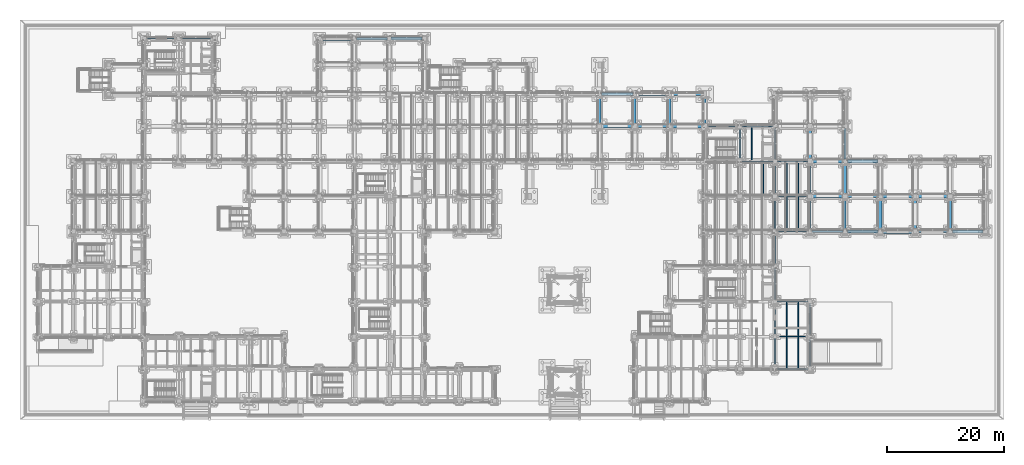
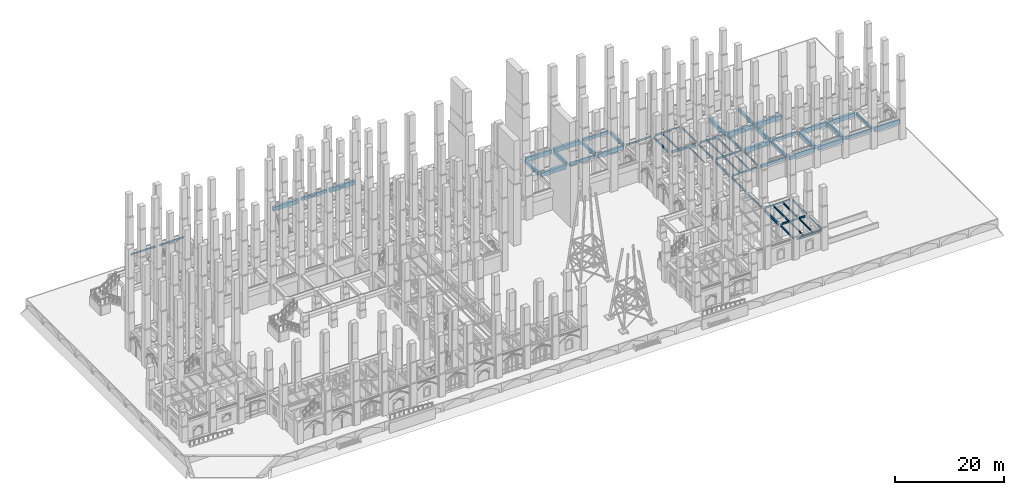
# One storey, part 47 of 135: 64 beams.
"""IFC4 building model written with IfcOpenShell, lengths in metres."""

import ifcopenshell
import ifcopenshell.guid

model = None  # the IFC model being written
_history = None  # IfcOwnerHistory: only IFC2X3 demands one
_inside = {}  # id of a spatial element -> (the spatial element, [elements in it])
_under = {}  # id of a project, library or spatial element -> (it, [spatial elements below it])
_declared = {}  # id of a project -> (the project, [libraries it declares])
_typed = {}  # id of a type object -> (the type object, [elements of that type])
_made_of = {}  # id of a material, layer set ... -> (it, [elements and type objects made of it])


def new_model(schema):
    """Start an empty IFC model of exactly this schema.

    Asked for "IFC4X3", IfcOpenShell would pick the latest addendum, in which some entities
    have other attributes; the version numbers below select the first issue.
    IFC2X3 requires an IfcOwnerHistory on every rooted entity: one is made here for all.
    """
    global model, _history
    if schema == "IFC4X3":
        model = ifcopenshell.file(schema_version=(4, 3, 0, 0))
    else:
        model = ifcopenshell.file(schema=schema)
    _inside.clear()
    _under.clear()
    _declared.clear()
    _typed.clear()
    _made_of.clear()
    _history = None
    if model.schema == "IFC2X3":
        org = make("IfcOrganization", Name="unknown")
        user = make(
            "IfcPersonAndOrganization",
            ThePerson=make("IfcPerson", FamilyName="unknown"),
            TheOrganization=org,
        )
        app = make(
            "IfcApplication",
            ApplicationDeveloper=org,
            Version="unknown",
            ApplicationFullName="unknown",
            ApplicationIdentifier="unknown",
        )
        _history = make(
            "IfcOwnerHistory",
            OwningUser=user,
            OwningApplication=app,
            ChangeAction="ADDED",
            CreationDate=0,
        )
    return model


def make(cls, **values):
    """One entity of the class cls with the attributes given. An attribute that is None is left unset."""
    return model.create_entity(
        cls, **{name: value for name, value in values.items() if value is not None}
    )


def rooted(cls, **values):
    """An entity with a GlobalId (a new one), such as an element, a storey or a relation."""
    return make(cls, GlobalId=ifcopenshell.guid.new(), OwnerHistory=_history, **values)


def si_unit(unit_type, name, prefix=None):
    """IfcSIUnit, for example si_unit("LENGTHUNIT", "METRE", prefix="MILLI")."""
    return make("IfcSIUnit", UnitType=unit_type, Prefix=prefix, Name=name)


def assignment(units):
    """IfcUnitAssignment: the units of a project."""
    return None if units is None else make("IfcUnitAssignment", Units=units)


def point(xyz):
    """IfcCartesianPoint."""
    return None if xyz is None else make("IfcCartesianPoint", Coordinates=xyz)


def direction(xyz):
    """IfcDirection."""
    return None if xyz is None else make("IfcDirection", DirectionRatios=xyz)


def frame(location, z_axis=None, x_axis=None):
    """IfcAxis2Placement3D, a coordinate frame: its origin and axes. An axis left out is left unset."""
    return make(
        "IfcAxis2Placement3D",
        Location=point(location),
        Axis=direction(z_axis),
        RefDirection=direction(x_axis),
    )


def frame_2d(location, x_axis=None):
    """IfcAxis2Placement2D, a coordinate frame in the plane: its origin and x axis."""
    return make(
        "IfcAxis2Placement2D", Location=point(location), RefDirection=direction(x_axis)
    )


def origin():
    """The frame at (0, 0, 0) with its axes left unset."""
    return frame((0.0, 0.0, 0.0))


def origin_2d():
    """The frame at (0, 0) in the plane with its x axis left unset."""
    return frame_2d((0.0, 0.0))


def place(relative_to, where):
    """IfcLocalPlacement: puts the frame where relative to a parent placement (None: the world)."""
    return make(
        "IfcLocalPlacement", PlacementRelTo=relative_to, RelativePlacement=where
    )


def context(
    kind, dimensions, precision=None, world=None, true_north=None, identifier=None
):
    """IfcGeometricRepresentationContext, for example the 3D "Model" context."""
    return make(
        "IfcGeometricRepresentationContext",
        ContextIdentifier=identifier,
        ContextType=kind,
        CoordinateSpaceDimension=dimensions,
        Precision=precision,
        WorldCoordinateSystem=world,
        TrueNorth=true_north,
    )


def subcontext(parent, identifier, kind, view, scale=None):
    """IfcGeometricRepresentationSubContext, for example "Body" below "Model"."""
    return make(
        "IfcGeometricRepresentationSubContext",
        ContextIdentifier=identifier,
        ContextType=kind,
        ParentContext=parent,
        TargetScale=scale,
        TargetView=view,
    )


def project(units=None, contexts=None):
    """IfcProject with its units and contexts."""
    return rooted(
        "IfcProject",
        Name="project",
        RepresentationContexts=contexts,
        UnitsInContext=assignment(units),
    )


def spatial(cls, under=None, at=None, **own):
    """A site, building, storey or space (cls), placed at a placement, below another one or the project."""
    s = rooted(cls, ObjectPlacement=at, **own)
    if under is not None:
        _under.setdefault(under.id(), (under, []))[1].append(s)
    return s


def profile(cls, at=None, kind="AREA", **sizes):
    """A parametric profile (cls). Its sizes go by their IFC names, for example OverallWidth=200.0."""
    return make(cls, ProfileType=kind, Position=at, **sizes)


def rectangle(**sizes):
    """IfcRectangleProfileDef."""
    return profile("IfcRectangleProfileDef", **sizes)


def i_section(**sizes):
    """IfcIShapeProfileDef."""
    return profile("IfcIShapeProfileDef", **sizes)


def extrude(swept, where, along, depth):
    """IfcExtrudedAreaSolid: the profile swept, set in the frame where, extruded along a direction by depth."""
    return make(
        "IfcExtrudedAreaSolid",
        SweptArea=swept,
        Position=where,
        ExtrudedDirection=direction(along),
        Depth=depth,
    )


def shape(context_of_items, identifier, shape_type, items):
    """IfcShapeRepresentation: the items that make up one representation, for example the "Body"."""
    return make(
        "IfcShapeRepresentation",
        ContextOfItems=context_of_items,
        RepresentationIdentifier=identifier,
        RepresentationType=shape_type,
        Items=items,
    )


def material(Name=None, Category=None):
    """IfcMaterial."""
    return make("IfcMaterial", Name=Name, Category=Category)


def material_profile(
    of_material, cross_section, Name=None, Category=None, Priority=None
):
    """IfcMaterialProfile: a cross section and its material."""
    return make(
        "IfcMaterialProfile",
        Name=Name,
        Material=of_material,
        Profile=cross_section,
        Priority=Priority,
        Category=Category,
    )


def profile_set(profiles, Name=None, composite=None):
    """IfcMaterialProfileSet."""
    return make(
        "IfcMaterialProfileSet",
        Name=Name,
        MaterialProfiles=profiles,
        CompositeProfile=composite,
    )


def made_of(thing, what):
    """Note that an element or type object is made of a material, layer set ...; save() writes the relation."""
    if what is not None:
        _made_of.setdefault(what.id(), (what, []))[1].append(thing)
    return thing


def type_object(cls, material=None, **own):
    """A type object (cls), such as IfcWallType, which elements share."""
    return made_of(rooted(cls, **own), material)


def element(
    cls,
    number,
    at=None,
    inside=None,
    cuts=None,
    type_object=None,
    material=None,
    context=None,
    identifier="Body",
    shape_type=None,
    held_by="IfcProductDefinitionShape",
    body=None,
    shapes=None,
    **own,
):
    """One element of the class cls, such as IfcWall. Its Tag is "e" and its number.

    at: its placement. inside: the storey or other place that contains it. cuts: it is an
    opening in that element (IfcRelVoidsElement). A single representation is given by context,
    identifier, shape_type and body (its items); several are given by shapes. held_by: the class
    of the entity that holds the representations. save() writes the other relations.
    """
    e = rooted(cls, Tag="e%d" % number, ObjectPlacement=at, **own)
    if body is not None:
        shapes = [shape(context, identifier, shape_type, body)]
    if shapes is not None:
        e.Representation = make(held_by, Representations=shapes)
    if inside is not None:
        _inside.setdefault(inside.id(), (inside, []))[1].append(e)
    if cuts is not None:
        rooted(
            "IfcRelVoidsElement", RelatingBuildingElement=cuts, RelatedOpeningElement=e
        )
    if type_object is not None:
        _typed.setdefault(type_object.id(), (type_object, []))[1].append(e)
    return made_of(e, material)


def aggregate(whole, parts):
    """IfcRelAggregates: a whole, such as a stair, and the parts it consists of."""
    return rooted("IfcRelAggregates", RelatingObject=whole, RelatedObjects=parts)


def save(model, path):
    """Write the relations noted so far, then the file.

    IfcRelAggregates (storeys below a building ...), IfcRelContainedInSpatialStructure (elements
    in a storey), IfcRelDefinesByType, IfcRelAssociatesMaterial and IfcRelDeclares: one each for
    every whole, place, type object, material and project.
    """
    for whole, parts in _under.values():
        aggregate(whole, parts)
    for where, things in _inside.values():
        rooted(
            "IfcRelContainedInSpatialStructure",
            RelatedElements=things,
            RelatingStructure=where,
        )
    for kind, things in _typed.values():
        rooted("IfcRelDefinesByType", RelatedObjects=things, RelatingType=kind)
    for what, things in _made_of.values():
        rooted("IfcRelAssociatesMaterial", RelatedObjects=things, RelatingMaterial=what)
    for by, libraries in _declared.values():
        rooted("IfcRelDeclares", RelatingContext=by, RelatedDefinitions=libraries)
    model.write(path)


model = new_model("IFC4")

# Units and contexts
model_context = context("Model", 3, precision=1e-05, world=origin(), true_north=direction((0.0, 1.0)))
body_context = subcontext(model_context, "Body", "Model", "MODEL_VIEW")
ifc_project = project(units=[si_unit("LENGTHUNIT", "METRE"), si_unit("AREAUNIT", "SQUARE_METRE"), si_unit("VOLUMEUNIT", "CUBIC_METRE"), si_unit("PLANEANGLEUNIT", "RADIAN"), si_unit("MASSUNIT", "GRAM", prefix="KILO")], contexts=[model_context])

# Site, building, storey
site_placement = place(None, origin())
site = spatial("IfcSite", under=ifc_project, at=site_placement, CompositionType="ELEMENT")
building_placement = place(site_placement, origin())
building = spatial("IfcBuilding", under=site, at=building_placement, Name="Cumevento Cable Car Station", CompositionType="ELEMENT")
storey_placement = place(building_placement, origin())
storey = spatial("IfcBuildingStorey", under=building, at=storey_placement, Name="L01", CompositionType="ELEMENT", Elevation=0.0)

# Beams
ifc_material_1 = material(Name="Steel ASTM A572 Grade 50", Category="steel")
ifc_material_profile_1 = material_profile(ifc_material_1, i_section(OverallWidth=0.22802734375, OverallDepth=0.60791015625, WebThickness=0.01123046875, FlangeThickness=0.017333984375, at=origin_2d()), Name="W610x113.0")
ifc_profile_set_1 = profile_set([ifc_material_profile_1], Name="Steel ASTM A572 Grade 50")
beam_type_1 = type_object("IfcBeamType", Name="Structural Beam BM-02 W610x113.0", PredefinedType="BEAM", material=ifc_profile_set_1)
beam_1_placement = place(storey_placement, frame((130.0, 15.324951171875, 3.912109375), z_axis=(0.0, 1.0, 0.0), x_axis=(-1.0, 0.0, 0.0)))
element("IfcBeam", 1, at=beam_1_placement, inside=storey, type_object=beam_type_1, Name="Beam BM-02 L01 #238", PredefinedType="BEAM", context=body_context, shape_type="SweptSolid", body=[
    extrude(i_section(OverallWidth=0.22802734375, OverallDepth=0.60791015625, WebThickness=0.01123046875, FlangeThickness=0.017333984375, at=origin_2d()), origin(), (0.0, 0.0, 1.0), 5.324951171875),
])
beam_2_placement = place(storey_placement, frame((130.0, 33.35009765625, 3.805908203125), z_axis=(0.0, 1.0, 0.0), x_axis=(-1.0, 0.0, 0.0)))
element("IfcBeam", 2, at=beam_2_placement, inside=storey, type_object=beam_type_1, Name="Beam BM-02 L01 #262", PredefinedType="BEAM", context=body_context, shape_type="SweptSolid", body=[
    extrude(i_section(OverallWidth=0.22802734375, OverallDepth=0.60791015625, WebThickness=0.01123046875, FlangeThickness=0.017333984375, at=origin_2d()), origin(), (0.0, 0.0, 1.0), 5.2998046875),
])
beam_3_placement = place(storey_placement, frame((136.0, 39.35009765625, 3.906005859375), z_axis=(0.0, 1.0, 0.0), x_axis=(-1.0, 0.0, 0.0)))
element("IfcBeam", 3, at=beam_3_placement, inside=storey, type_object=beam_type_1, Name="Beam BM-02 L01 #265", PredefinedType="BEAM", context=body_context, shape_type="SweptSolid", body=[
    extrude(i_section(OverallWidth=0.22802734375, OverallDepth=0.60791015625, WebThickness=0.01123046875, FlangeThickness=0.017333984375, at=origin_2d()), origin(), (0.0, 0.0, 1.0), 5.27490234375),
])
ifc_material_2 = material(Name="Steel ASTM A572 Grade 50", Category="steel")
ifc_material_profile_2 = material_profile(ifc_material_2, i_section(OverallWidth=0.18994140625, OverallDepth=0.45703125, WebThickness=0.009033203125, FlangeThickness=0.014404296875, at=origin_2d()), Name="W460x74.0")
ifc_profile_set_2 = profile_set([ifc_material_profile_2], Name="Steel ASTM A572 Grade 50")
beam_type_2 = type_object("IfcBeamType", Name="Structural Beam BM-04 W460x74.0", PredefinedType="BEAM", material=ifc_profile_set_2)
beam_4_placement = place(storey_placement, frame((130.375, 45.0, 3.9814453125), z_axis=(1.0, 0.0, 0.0), x_axis=(0.0, 1.0, 0.0)))
element("IfcBeam", 4, at=beam_4_placement, inside=storey, type_object=beam_type_2, Name="Beam BM-04 L01 #257", PredefinedType="BEAM", context=body_context, shape_type="SweptSolid", body=[
    extrude(i_section(OverallWidth=0.18994140625, OverallDepth=0.45703125, WebThickness=0.009033203125, FlangeThickness=0.014404296875, at=origin_2d()), origin(), (0.0, 0.0, 1.0), 5.25),
])
beam_5_placement = place(storey_placement, frame((130.0, 39.35009765625, 3.9814453125), z_axis=(0.0, 1.0, 0.0), x_axis=(-1.0, 0.0, 0.0)))
element("IfcBeam", 5, at=beam_5_placement, inside=storey, type_object=beam_type_2, Name="Beam BM-04 L01 #263", PredefinedType="BEAM", context=body_context, shape_type="SweptSolid", body=[
    extrude(i_section(OverallWidth=0.18994140625, OverallDepth=0.45703125, WebThickness=0.009033203125, FlangeThickness=0.014404296875, at=origin_2d()), origin(), (0.0, 0.0, 1.0), 5.27490234375),
])
beam_6_placement = place(storey_placement, frame((124.0, 45.39990234375, 3.9814453125), z_axis=(0.0, 1.0, 0.0), x_axis=(-1.0, 0.0, 0.0)))
element("IfcBeam", 6, at=beam_6_placement, inside=storey, type_object=beam_type_2, Name="Beam BM-04 L01 #293", PredefinedType="BEAM", context=body_context, shape_type="SweptSolid", body=[
    extrude(i_section(OverallWidth=0.18994140625, OverallDepth=0.45703125, WebThickness=0.009033203125, FlangeThickness=0.014404296875, at=origin_2d()), origin(), (0.0, 0.0, 1.0), 5.2001953125),
])
ifc_material_3 = material(Name="Steel ASTM A572 Grade 50", Category="steel")
ifc_material_profile_3 = material_profile(ifc_material_3, i_section(OverallWidth=0.205078125, OverallDepth=0.35400390625, WebThickness=0.009521484375, FlangeThickness=0.016845703125, at=origin_2d()), Name="W360x79.0")
ifc_profile_set_3 = profile_set([ifc_material_profile_3], Name="Steel ASTM A572 Grade 50")
beam_type_3 = type_object("IfcBeamType", Name="Structural Beam BM-05 W360x79.0", PredefinedType="BEAM", material=ifc_profile_set_3)
beam_7_placement = place(storey_placement, frame((130.0, 9.89990234375, 4.051025390625), z_axis=(0.0, 1.0, 0.0), x_axis=(-1.0, 0.0, 0.0)))
element("IfcBeam", 7, at=beam_7_placement, inside=storey, type_object=beam_type_3, Name="Beam BM-05 L01 #237", PredefinedType="BEAM", context=body_context, shape_type="SweptSolid", body=[
    extrude(i_section(OverallWidth=0.205078125, OverallDepth=0.35400390625, WebThickness=0.009521484375, FlangeThickness=0.016845703125, at=origin_2d()), origin(), (0.0, 0.0, 1.0), 4.775146484375),
])
beam_8_placement = place(storey_placement, frame((136.0, 33.35009765625, 4.032958984375), z_axis=(0.0, 1.0, 0.0), x_axis=(-1.0, 0.0, 0.0)))
element("IfcBeam", 8, at=beam_8_placement, inside=storey, type_object=beam_type_3, Name="Beam BM-05 L01 #264", PredefinedType="BEAM", context=body_context, shape_type="SweptSolid", body=[
    extrude(i_section(OverallWidth=0.205078125, OverallDepth=0.35400390625, WebThickness=0.009521484375, FlangeThickness=0.016845703125, at=origin_2d()), origin(), (0.0, 0.0, 1.0), 5.2998046875),
])
beam_9_placement = place(storey_placement, frame((130.0, 45.375, 4.032958984375), z_axis=(0.0, 1.0, 0.0), x_axis=(-1.0, 0.0, 0.0)))
element("IfcBeam", 9, at=beam_9_placement, inside=storey, type_object=beam_type_3, Name="Beam BM-05 L01 #294", PredefinedType="BEAM", context=body_context, shape_type="SweptSolid", body=[
    extrude(i_section(OverallWidth=0.205078125, OverallDepth=0.35400390625, WebThickness=0.009521484375, FlangeThickness=0.016845703125, at=origin_2d()), origin(), (0.0, 0.0, 1.0), 5.25),
])
ifc_material_4 = material(Name="Steel ASTM A572 Grade 50", Category="steel")
ifc_material_profile_4 = material_profile(ifc_material_4, i_section(OverallWidth=0.179931640625, OverallDepth=0.4130859375, WebThickness=0.009765625, FlangeThickness=0.01611328125, at=origin_2d()), Name="W410x74.0")
ifc_profile_set_4 = profile_set([ifc_material_profile_4], Name="Steel ASTM A572 Grade 50")
beam_type_4 = type_object("IfcBeamType", Name="Structural Beam BM-09 W410x74.0", PredefinedType="BEAM", material=ifc_profile_set_4)
beam_10_placement = place(storey_placement, frame((130.324951171875, 15.0, 4.021484375), z_axis=(1.0, 0.0, 0.0), x_axis=(0.0, 1.0, 0.0)))
element("IfcBeam", 10, at=beam_10_placement, inside=storey, type_object=beam_type_4, Name="Beam BM-09 L01 #230", PredefinedType="BEAM", context=body_context, shape_type="SweptSolid", body=[
    extrude(i_section(OverallWidth=0.179931640625, OverallDepth=0.4130859375, WebThickness=0.009765625, FlangeThickness=0.01611328125, at=origin_2d()), origin(), (0.0, 0.0, 1.0), 5.275146484375),
])
beam_11_placement = place(storey_placement, frame((130.35009765625, 39.0, 4.00341796875), z_axis=(1.0, 0.0, 0.0), x_axis=(0.0, 1.0, 0.0)))
element("IfcBeam", 11, at=beam_11_placement, inside=storey, type_object=beam_type_4, Name="Beam BM-09 L01 #254", PredefinedType="BEAM", context=body_context, shape_type="SweptSolid", body=[
    extrude(i_section(OverallWidth=0.179931640625, OverallDepth=0.4130859375, WebThickness=0.009765625, FlangeThickness=0.01611328125, at=origin_2d()), origin(), (0.0, 0.0, 1.0), 5.2998046875),
])
ifc_material_5 = material(Name="Steel ASTM A572 Grade 50", Category="steel")
ifc_material_profile_5 = material_profile(ifc_material_5, i_section(OverallWidth=0.2109375, OverallDepth=0.5390625, WebThickness=0.01171875, FlangeThickness=0.018798828125, at=origin_2d()), Name="W530x109.0")
ifc_profile_set_5 = profile_set([ifc_material_profile_5], Name="Steel ASTM A572 Grade 50")
beam_type_5 = type_object("IfcBeamType", Name="Structural Beam BM-11 W530x109.0", PredefinedType="BEAM", material=ifc_profile_set_5)
beam_12_placement = place(storey_placement, frame((124.39990234375, 45.0, 3.9404296875), z_axis=(1.0, 0.0, 0.0), x_axis=(0.0, 1.0, 0.0)))
element("IfcBeam", 12, at=beam_12_placement, inside=storey, type_object=beam_type_5, Name="Beam BM-11 L01 #256", PredefinedType="BEAM", context=body_context, shape_type="SweptSolid", body=[
    extrude(i_section(OverallWidth=0.2109375, OverallDepth=0.5390625, WebThickness=0.01171875, FlangeThickness=0.018798828125, at=origin_2d()), origin(), (0.0, 0.0, 1.0), 5.22509765625),
])
ifc_material_6 = material(Name="Concrete C40/50", Category="concrete")
ifc_material_profile_6 = material_profile(ifc_material_6, rectangle(XDim=0.60009765625, YDim=0.89990234375, at=origin_2d()), Name="RC600x900")
ifc_profile_set_6 = profile_set([ifc_material_profile_6], Name="Concrete C40/50")
beam_type_6 = type_object("IfcBeamType", Name="Structural Beam TB-01 RC600x900", PredefinedType="BEAM", material=ifc_profile_set_6)
beam_13_placement = place(storey_placement, frame((100.35009765625, 51.0, 3.800048828125), z_axis=(1.0, 0.0, 0.0), x_axis=(0.0, 1.0, 0.0)))
element("IfcBeam", 13, at=beam_13_placement, inside=storey, type_object=beam_type_6, Name="Beam TB-01 L01 #193", PredefinedType="BEAM", context=body_context, shape_type="SweptSolid", body=[
    extrude(rectangle(XDim=0.60009765625, YDim=0.89990234375, at=origin_2d()), origin(), (0.0, 0.0, 1.0), 5.27490234375),
])
beam_14_placement = place(storey_placement, frame((106.300048828125, 56.5, 3.800048828125), z_axis=(1.0, 0.0, 0.0), x_axis=(0.0, 1.0, 0.0)))
element("IfcBeam", 14, at=beam_14_placement, inside=storey, type_object=beam_type_6, Name="Beam TB-01 L01 #199", PredefinedType="BEAM", context=body_context, shape_type="SweptSolid", body=[
    extrude(rectangle(XDim=0.60009765625, YDim=0.89990234375, at=origin_2d()), origin(), (0.0, 0.0, 1.0), 5.39990234375),
])
beam_15_placement = place(storey_placement, frame((52.324951171875, 66.0, 3.800048828125), z_axis=(1.0, 0.0, 0.0), x_axis=(0.0, 1.0, 0.0)))
element("IfcBeam", 15, at=beam_15_placement, inside=storey, type_object=beam_type_6, Name="Beam TB-01 L01 #214", PredefinedType="BEAM", context=body_context, shape_type="SweptSolid", body=[
    extrude(rectangle(XDim=0.60009765625, YDim=0.89990234375, at=origin_2d()), origin(), (0.0, 0.0, 1.0), 5.300048828125),
])
beam_16_placement = place(storey_placement, frame((148.39990234375, 33.0, 3.800048828125), z_axis=(1.0, 0.0, 0.0), x_axis=(0.0, 1.0, 0.0)))
element("IfcBeam", 16, at=beam_16_placement, inside=storey, type_object=beam_type_6, Name="Beam TB-01 L01 #268", PredefinedType="BEAM", context=body_context, shape_type="SweptSolid", body=[
    extrude(rectangle(XDim=0.60009765625, YDim=0.89990234375, at=origin_2d()), origin(), (0.0, 0.0, 1.0), 5.275146484375),
])
beam_17_placement = place(storey_placement, frame((136.35009765625, 39.0, 3.760009765625), z_axis=(1.0, 0.0, 0.0), x_axis=(0.0, 1.0, 0.0)))
element("IfcBeam", 17, at=beam_17_placement, inside=storey, type_object=beam_type_6, Name="Beam TB-01 L01 #271", PredefinedType="BEAM", context=body_context, shape_type="SweptSolid", body=[
    extrude(rectangle(XDim=0.60009765625, YDim=0.89990234375, at=origin_2d()), origin(), (0.0, 0.0, 1.0), 5.27490234375),
])
beam_18_placement = place(storey_placement, frame((154.324951171875, 39.0, 3.800048828125), z_axis=(1.0, 0.0, 0.0), x_axis=(0.0, 1.0, 0.0)))
element("IfcBeam", 18, at=beam_18_placement, inside=storey, type_object=beam_type_6, Name="Beam TB-01 L01 #274", PredefinedType="BEAM", context=body_context, shape_type="SweptSolid", body=[
    extrude(rectangle(XDim=0.60009765625, YDim=0.89990234375, at=origin_2d()), origin(), (0.0, 0.0, 1.0), 5.324951171875),
])
beam_19_placement = place(storey_placement, frame((142.39990234375, 45.0, 3.800048828125), z_axis=(1.0, 0.0, 0.0), x_axis=(0.0, 1.0, 0.0)))
element("IfcBeam", 19, at=beam_19_placement, inside=storey, type_object=beam_type_6, Name="Beam TB-01 L01 #277", PredefinedType="BEAM", context=body_context, shape_type="SweptSolid", body=[
    extrude(rectangle(XDim=0.60009765625, YDim=0.89990234375, at=origin_2d()), origin(), (0.0, 0.0, 1.0), 5.275146484375),
])
beam_20_placement = place(storey_placement, frame((148.0, 33.39990234375, 3.800048828125), z_axis=(0.0, 1.0, 0.0), x_axis=(-1.0, 0.0, 0.0)))
element("IfcBeam", 20, at=beam_20_placement, inside=storey, type_object=beam_type_6, Name="Beam TB-01 L01 #283", PredefinedType="BEAM", context=body_context, shape_type="SweptSolid", body=[
    extrude(rectangle(XDim=0.60009765625, YDim=0.89990234375, at=origin_2d()), origin(), (0.0, 0.0, 1.0), 5.2001953125),
])
ifc_material_7 = material(Name="Concrete C40/50", Category="concrete")
ifc_material_profile_7 = material_profile(ifc_material_7, rectangle(XDim=0.449951171875, YDim=0.75, at=origin_2d()), Name="RC450x750")
ifc_profile_set_7 = profile_set([ifc_material_profile_7], Name="Concrete C40/50")
beam_type_7 = type_object("IfcBeamType", Name="Structural Beam TB-02 RC450x750", PredefinedType="BEAM", material=ifc_profile_set_7)
beam_21_placement = place(storey_placement, frame((100.0, 51.35009765625, 3.875), z_axis=(0.0, 1.0, 0.0), x_axis=(-1.0, 0.0, 0.0)))
element("IfcBeam", 21, at=beam_21_placement, inside=storey, type_object=beam_type_7, Name="Beam TB-02 L01 #204", PredefinedType="BEAM", context=body_context, shape_type="SweptSolid", body=[
    extrude(rectangle(XDim=0.449951171875, YDim=0.75, at=origin_2d()), origin(), (0.0, 0.0, 1.0), 4.625),
])
beam_22_placement = place(storey_placement, frame((106.0, 51.375, 3.875), z_axis=(0.0, 1.0, 0.0), x_axis=(-1.0, 0.0, 0.0)))
element("IfcBeam", 22, at=beam_22_placement, inside=storey, type_object=beam_type_7, Name="Beam TB-02 L01 #206", PredefinedType="BEAM", context=body_context, shape_type="SweptSolid", body=[
    extrude(rectangle(XDim=0.449951171875, YDim=0.75, at=origin_2d()), origin(), (0.0, 0.0, 1.0), 4.60009765625),
])
beam_23_placement = place(storey_placement, frame((112.0, 51.39990234375, 3.875), z_axis=(0.0, 1.0, 0.0), x_axis=(-1.0, 0.0, 0.0)))
element("IfcBeam", 23, at=beam_23_placement, inside=storey, type_object=beam_type_7, Name="Beam TB-02 L01 #208", PredefinedType="BEAM", context=body_context, shape_type="SweptSolid", body=[
    extrude(rectangle(XDim=0.449951171875, YDim=0.75, at=origin_2d()), origin(), (0.0, 0.0, 1.0), 4.5751953125),
])
beam_24_placement = place(storey_placement, frame((118.0, 51.375, 3.9130859375), z_axis=(0.0, 1.0, 0.0), x_axis=(-1.0, 0.0, 0.0)))
element("IfcBeam", 24, at=beam_24_placement, inside=storey, type_object=beam_type_7, Name="Beam TB-02 L01 #210", PredefinedType="BEAM", context=body_context, shape_type="SweptSolid", body=[
    extrude(rectangle(XDim=0.449951171875, YDim=0.75, at=origin_2d()), origin(), (0.0, 0.0, 1.0), 4.60009765625),
])
ifc_material_8 = material(Name="Concrete C40/50", Category="concrete")
ifc_material_profile_8 = material_profile(ifc_material_8, rectangle(XDim=0.39990234375, YDim=0.64990234375, at=origin_2d()), Name="RC400x650")
ifc_profile_set_8 = profile_set([ifc_material_profile_8], Name="Concrete C40/50")
beam_type_8 = type_object("IfcBeamType", Name="Structural Beam TB-03 RC400x650", PredefinedType="BEAM", material=ifc_profile_set_8)
beam_25_placement = place(storey_placement, frame((106.375, 51.0, 3.925048828125), z_axis=(1.0, 0.0, 0.0), x_axis=(0.0, 1.0, 0.0)))
element("IfcBeam", 25, at=beam_25_placement, inside=storey, type_object=beam_type_8, Name="Beam TB-03 L01 #194", PredefinedType="BEAM", context=body_context, shape_type="SweptSolid", body=[
    extrude(rectangle(XDim=0.39990234375, YDim=0.64990234375, at=origin_2d()), origin(), (0.0, 0.0, 1.0), 5.22509765625),
])
beam_26_placement = place(storey_placement, frame((112.300048828125, 56.5, 3.925048828125), z_axis=(1.0, 0.0, 0.0), x_axis=(0.0, 1.0, 0.0)))
element("IfcBeam", 26, at=beam_26_placement, inside=storey, type_object=beam_type_8, Name="Beam TB-03 L01 #200", PredefinedType="BEAM", context=body_context, shape_type="SweptSolid", body=[
    extrude(rectangle(XDim=0.39990234375, YDim=0.64990234375, at=origin_2d()), origin(), (0.0, 0.0, 1.0), 5.39990234375),
])
beam_27_placement = place(storey_placement, frame((58.375, 66.0, 3.925048828125), z_axis=(1.0, 0.0, 0.0), x_axis=(0.0, 1.0, 0.0)))
element("IfcBeam", 27, at=beam_27_placement, inside=storey, type_object=beam_type_8, Name="Beam TB-03 L01 #215", PredefinedType="BEAM", context=body_context, shape_type="SweptSolid", body=[
    extrude(rectangle(XDim=0.39990234375, YDim=0.64990234375, at=origin_2d()), origin(), (0.0, 0.0, 1.0), 5.300048828125),
])
beam_28_placement = place(storey_placement, frame((136.35009765625, 33.0, 3.885009765625), z_axis=(1.0, 0.0, 0.0), x_axis=(0.0, 1.0, 0.0)))
element("IfcBeam", 28, at=beam_28_placement, inside=storey, type_object=beam_type_8, Name="Beam TB-03 L01 #266", PredefinedType="BEAM", context=body_context, shape_type="SweptSolid", body=[
    extrude(rectangle(XDim=0.39990234375, YDim=0.64990234375, at=origin_2d()), origin(), (0.0, 0.0, 1.0), 5.27490234375),
])
beam_29_placement = place(storey_placement, frame((154.324951171875, 33.0, 3.925048828125), z_axis=(1.0, 0.0, 0.0), x_axis=(0.0, 1.0, 0.0)))
element("IfcBeam", 29, at=beam_29_placement, inside=storey, type_object=beam_type_8, Name="Beam TB-03 L01 #269", PredefinedType="BEAM", context=body_context, shape_type="SweptSolid", body=[
    extrude(rectangle(XDim=0.39990234375, YDim=0.64990234375, at=origin_2d()), origin(), (0.0, 0.0, 1.0), 5.324951171875),
])
beam_30_placement = place(storey_placement, frame((142.375, 39.0, 3.925048828125), z_axis=(1.0, 0.0, 0.0), x_axis=(0.0, 1.0, 0.0)))
element("IfcBeam", 30, at=beam_30_placement, inside=storey, type_object=beam_type_8, Name="Beam TB-03 L01 #272", PredefinedType="BEAM", context=body_context, shape_type="SweptSolid", body=[
    extrude(rectangle(XDim=0.39990234375, YDim=0.64990234375, at=origin_2d()), origin(), (0.0, 0.0, 1.0), 5.22509765625),
])
beam_31_placement = place(storey_placement, frame((142.0, 33.375, 3.925048828125), z_axis=(0.0, 1.0, 0.0), x_axis=(-1.0, 0.0, 0.0)))
element("IfcBeam", 31, at=beam_31_placement, inside=storey, type_object=beam_type_8, Name="Beam TB-03 L01 #281", PredefinedType="BEAM", context=body_context, shape_type="SweptSolid", body=[
    extrude(rectangle(XDim=0.39990234375, YDim=0.64990234375, at=origin_2d()), origin(), (0.0, 0.0, 1.0), 5.25),
])
beam_32_placement = place(storey_placement, frame((160.0, 33.35009765625, 3.925048828125), z_axis=(0.0, 1.0, 0.0), x_axis=(-1.0, 0.0, 0.0)))
element("IfcBeam", 32, at=beam_32_placement, inside=storey, type_object=beam_type_8, Name="Beam TB-03 L01 #287", PredefinedType="BEAM", context=body_context, shape_type="SweptSolid", body=[
    extrude(rectangle(XDim=0.39990234375, YDim=0.64990234375, at=origin_2d()), origin(), (0.0, 0.0, 1.0), 5.2998046875),
])
beam_33_placement = place(storey_placement, frame((142.0, 45.39990234375, 3.925048828125), z_axis=(0.0, 1.0, 0.0), x_axis=(-1.0, 0.0, 0.0)))
element("IfcBeam", 33, at=beam_33_placement, inside=storey, type_object=beam_type_8, Name="Beam TB-03 L01 #302", PredefinedType="BEAM", context=body_context, shape_type="SweptSolid", body=[
    extrude(rectangle(XDim=0.39990234375, YDim=0.64990234375, at=origin_2d()), origin(), (0.0, 0.0, 1.0), 5.2001953125),
])
ifc_material_9 = material(Name="Concrete C40/50", Category="concrete")
ifc_material_profile_9 = material_profile(ifc_material_9, rectangle(XDim=0.5, YDim=0.949951171875, at=origin_2d()), Name="RC500x950")
ifc_profile_set_9 = profile_set([ifc_material_profile_9], Name="Concrete C40/50")
beam_type_9 = type_object("IfcBeamType", Name="Structural Beam TB-04 RC500x950", PredefinedType="BEAM", material=ifc_profile_set_9)
beam_34_placement = place(storey_placement, frame((112.39990234375, 51.0, 3.81298828125), z_axis=(1.0, 0.0, 0.0), x_axis=(0.0, 1.0, 0.0)))
element("IfcBeam", 34, at=beam_34_placement, inside=storey, type_object=beam_type_9, Name="Beam TB-04 L01 #195", PredefinedType="BEAM", context=body_context, shape_type="SweptSolid", body=[
    extrude(rectangle(XDim=0.5, YDim=0.949951171875, at=origin_2d()), origin(), (0.0, 0.0, 1.0), 5.22509765625),
])
beam_35_placement = place(storey_placement, frame((100.300048828125, 56.5, 3.77490234375), z_axis=(1.0, 0.0, 0.0), x_axis=(0.0, 1.0, 0.0)))
element("IfcBeam", 35, at=beam_35_placement, inside=storey, type_object=beam_type_9, Name="Beam TB-04 L01 #198", PredefinedType="BEAM", context=body_context, shape_type="SweptSolid", body=[
    extrude(rectangle(XDim=0.5, YDim=0.949951171875, at=origin_2d()), origin(), (0.0, 0.0, 1.0), 5.39990234375),
])
beam_36_placement = place(storey_placement, frame((64.324951171875, 66.0, 3.77490234375), z_axis=(1.0, 0.0, 0.0), x_axis=(0.0, 1.0, 0.0)))
element("IfcBeam", 36, at=beam_36_placement, inside=storey, type_object=beam_type_9, Name="Beam TB-04 L01 #216", PredefinedType="BEAM", context=body_context, shape_type="SweptSolid", body=[
    extrude(rectangle(XDim=0.5, YDim=0.949951171875, at=origin_2d()), origin(), (0.0, 0.0, 1.0), 5.300048828125),
])
beam_37_placement = place(storey_placement, frame((142.375, 33.0, 3.77490234375), z_axis=(1.0, 0.0, 0.0), x_axis=(0.0, 1.0, 0.0)))
element("IfcBeam", 37, at=beam_37_placement, inside=storey, type_object=beam_type_9, Name="Beam TB-04 L01 #267", PredefinedType="BEAM", context=body_context, shape_type="SweptSolid", body=[
    extrude(rectangle(XDim=0.5, YDim=0.949951171875, at=origin_2d()), origin(), (0.0, 0.0, 1.0), 5.22509765625),
])
beam_38_placement = place(storey_placement, frame((160.35009765625, 33.0, 3.77490234375), z_axis=(1.0, 0.0, 0.0), x_axis=(0.0, 1.0, 0.0)))
element("IfcBeam", 38, at=beam_38_placement, inside=storey, type_object=beam_type_9, Name="Beam TB-04 L01 #270", PredefinedType="BEAM", context=body_context, shape_type="SweptSolid", body=[
    extrude(rectangle(XDim=0.5, YDim=0.949951171875, at=origin_2d()), origin(), (0.0, 0.0, 1.0), 5.27490234375),
])
beam_39_placement = place(storey_placement, frame((148.39990234375, 39.0, 3.77490234375), z_axis=(1.0, 0.0, 0.0), x_axis=(0.0, 1.0, 0.0)))
element("IfcBeam", 39, at=beam_39_placement, inside=storey, type_object=beam_type_9, Name="Beam TB-04 L01 #273", PredefinedType="BEAM", context=body_context, shape_type="SweptSolid", body=[
    extrude(rectangle(XDim=0.5, YDim=0.949951171875, at=origin_2d()), origin(), (0.0, 0.0, 1.0), 5.275146484375),
])
for number, where, z_axis, x_axis, name in (
    (40, (136.375, 45.0, 3.735107421875), (1.0, 0.0, 0.0), (0.0, 1.0, 0.0), "Beam TB-04 L01 #276"),
    (41, (142.0, 39.375, 3.77490234375), (0.0, 1.0, 0.0), (-1.0, 0.0, 0.0), "Beam TB-04 L01 #282"),
):
    element("IfcBeam", number, at=place(storey_placement, frame(where, z_axis=z_axis, x_axis=x_axis)), inside=storey, type_object=beam_type_9, Name=name, PredefinedType="BEAM", context=body_context, shape_type="SweptSolid", body=[
        extrude(rectangle(XDim=0.5, YDim=0.949951171875, at=origin_2d()), origin(), (0.0, 0.0, 1.0), 5.22509765625),
    ])
beam_40_placement = place(storey_placement, frame((154.0, 33.324951171875, 3.77490234375), z_axis=(0.0, 1.0, 0.0), x_axis=(-1.0, 0.0, 0.0)))
element("IfcBeam", 42, at=beam_40_placement, inside=storey, type_object=beam_type_9, Name="Beam TB-04 L01 #285", PredefinedType="BEAM", context=body_context, shape_type="SweptSolid", body=[
    extrude(rectangle(XDim=0.5, YDim=0.949951171875, at=origin_2d()), origin(), (0.0, 0.0, 1.0), 5.35009765625),
])
beam_41_placement = place(storey_placement, frame((136.0, 45.375, 3.735107421875), z_axis=(0.0, 1.0, 0.0), x_axis=(-1.0, 0.0, 0.0)))
element("IfcBeam", 43, at=beam_41_placement, inside=storey, type_object=beam_type_9, Name="Beam TB-04 L01 #300", PredefinedType="BEAM", context=body_context, shape_type="SweptSolid", body=[
    extrude(rectangle(XDim=0.5, YDim=0.949951171875, at=origin_2d()), origin(), (0.0, 0.0, 1.0), 5.25),
])
ifc_material_10 = material(Name="Steel ASTM A572 Grade 50", Category="steel")
ifc_material_profile_10 = material_profile(ifc_material_10, i_section(OverallWidth=0.1708984375, OverallDepth=0.35498046875, WebThickness=0.007080078125, FlangeThickness=0.01171875, at=origin_2d()), Name="W360x51.0")
ifc_profile_set_10 = profile_set([ifc_material_profile_10], Name="Steel ASTM A572 Grade 50")
beam_type_10 = type_object("IfcBeamType", Name="Structural Joist JS-01 W360x51.0", PredefinedType="JOIST", material=ifc_profile_set_10)
for number, where, z_axis, x_axis, name in (
    (44, (132.0, 15.077880859375, 4.050537109375), (0.0, 1.0, 0.0), (-1.0, 0.0, 0.0), "Composite Floor Joist JS-01 L01 #410"),
    (45, (134.0, 15.077880859375, 4.050537109375), (0.0, 1.0, 0.0), (-1.0, 0.0, 0.0), "Composite Floor Joist JS-01 L01 #412"),
):
    element("IfcBeam", number, at=place(storey_placement, frame(where, z_axis=z_axis, x_axis=x_axis)), inside=storey, type_object=beam_type_10, Name=name, PredefinedType="JOIST", context=body_context, shape_type="SweptSolid", body=[
        extrude(i_section(OverallWidth=0.1708984375, OverallDepth=0.35498046875, WebThickness=0.007080078125, FlangeThickness=0.01171875, at=origin_2d()), origin(), (0.0, 0.0, 1.0), 5.84521484375),
    ])
beam_42_placement = place(storey_placement, frame((128.0, 39.089599609375, 4.032470703125), z_axis=(0.0, 1.0, 0.0), x_axis=(-1.0, 0.0, 0.0)))
element("IfcBeam", 46, at=beam_42_placement, inside=storey, type_object=beam_type_10, Name="Composite Floor Joist JS-01 L01 #425", PredefinedType="JOIST", context=body_context, shape_type="SweptSolid", body=[
    extrude(i_section(OverallWidth=0.1708984375, OverallDepth=0.35498046875, WebThickness=0.007080078125, FlangeThickness=0.01171875, at=origin_2d()), origin(), (0.0, 0.0, 1.0), 5.81689453125),
])
beam_43_placement = place(storey_placement, frame((132.0, 33.076904296875, 4.032470703125), z_axis=(0.0, 1.0, 0.0), x_axis=(-1.0, 0.0, 0.0)))
element("IfcBeam", 47, at=beam_43_placement, inside=storey, type_object=beam_type_10, Name="Composite Floor Joist JS-01 L01 #426", PredefinedType="JOIST", context=body_context, shape_type="SweptSolid", body=[
    extrude(i_section(OverallWidth=0.1708984375, OverallDepth=0.35498046875, WebThickness=0.007080078125, FlangeThickness=0.01171875, at=origin_2d()), origin(), (0.0, 0.0, 1.0), 5.84521484375),
])
beam_44_placement = place(storey_placement, frame((132.0, 39.077880859375, 4.032470703125), z_axis=(0.0, 1.0, 0.0), x_axis=(-1.0, 0.0, 0.0)))
element("IfcBeam", 48, at=beam_44_placement, inside=storey, type_object=beam_type_10, Name="Composite Floor Joist JS-01 L01 #427", PredefinedType="JOIST", context=body_context, shape_type="SweptSolid", body=[
    extrude(i_section(OverallWidth=0.1708984375, OverallDepth=0.35498046875, WebThickness=0.007080078125, FlangeThickness=0.01171875, at=origin_2d()), origin(), (0.0, 0.0, 1.0), 5.839111328125),
])
beam_45_placement = place(storey_placement, frame((134.0, 33.076904296875, 4.032470703125), z_axis=(0.0, 1.0, 0.0), x_axis=(-1.0, 0.0, 0.0)))
element("IfcBeam", 49, at=beam_45_placement, inside=storey, type_object=beam_type_10, Name="Composite Floor Joist JS-01 L01 #428", PredefinedType="JOIST", context=body_context, shape_type="SweptSolid", body=[
    extrude(i_section(OverallWidth=0.1708984375, OverallDepth=0.35498046875, WebThickness=0.007080078125, FlangeThickness=0.01171875, at=origin_2d()), origin(), (0.0, 0.0, 1.0), 5.84521484375),
])
beam_46_placement = place(storey_placement, frame((134.0, 39.077880859375, 4.032470703125), z_axis=(0.0, 1.0, 0.0), x_axis=(-1.0, 0.0, 0.0)))
element("IfcBeam", 50, at=beam_46_placement, inside=storey, type_object=beam_type_10, Name="Composite Floor Joist JS-01 L01 #429", PredefinedType="JOIST", context=body_context, shape_type="SweptSolid", body=[
    extrude(i_section(OverallWidth=0.1708984375, OverallDepth=0.35498046875, WebThickness=0.007080078125, FlangeThickness=0.01171875, at=origin_2d()), origin(), (0.0, 0.0, 1.0), 5.839111328125),
])
beam_47_placement = place(storey_placement, frame((126.0, 45.093505859375, 4.032470703125), z_axis=(0.0, 1.0, 0.0), x_axis=(-1.0, 0.0, 0.0)))
element("IfcBeam", 51, at=beam_47_placement, inside=storey, type_object=beam_type_10, Name="Composite Floor Joist JS-01 L01 #430", PredefinedType="JOIST", context=body_context, shape_type="SweptSolid", body=[
    extrude(i_section(OverallWidth=0.1708984375, OverallDepth=0.35498046875, WebThickness=0.007080078125, FlangeThickness=0.01171875, at=origin_2d()), origin(), (0.0, 0.0, 1.0), 5.82958984375),
])
ifc_material_11 = material(Name="Steel ASTM A572 Grade 50", Category="steel")
ifc_material_profile_11 = material_profile(ifc_material_11, i_section(OverallWidth=0.1669921875, OverallDepth=0.31689453125, WebThickness=0.007568359375, FlangeThickness=0.01318359375, at=origin_2d()), Name="W310x52.0")
ifc_profile_set_11 = profile_set([ifc_material_profile_11], Name="Steel ASTM A572 Grade 50")
beam_type_11 = type_object("IfcBeamType", Name="Structural Joist JS-02 W310x52.0", PredefinedType="JOIST", material=ifc_profile_set_11)
for number, where, z_axis, x_axis, name in (
    (52, (132.0, 9.576904296875, 4.069580078125), (0.0, 1.0, 0.0), (-1.0, 0.0, 0.0), "Composite Floor Joist JS-02 L01 #409"),
    (53, (134.0, 9.576904296875, 4.069580078125), (0.0, 1.0, 0.0), (-1.0, 0.0, 0.0), "Composite Floor Joist JS-02 L01 #411"),
):
    element("IfcBeam", number, at=place(storey_placement, frame(where, z_axis=z_axis, x_axis=x_axis)), inside=storey, type_object=beam_type_11, Name=name, PredefinedType="JOIST", context=body_context, shape_type="SweptSolid", body=[
        extrude(i_section(OverallWidth=0.1669921875, OverallDepth=0.31689453125, WebThickness=0.007568359375, FlangeThickness=0.01318359375, at=origin_2d()), origin(), (0.0, 0.0, 1.0), 5.34521484375),
    ])
ifc_material_12 = material(Name="Steel ASTM A572 Grade 50", Category="steel")
ifc_material_profile_12 = material_profile(ifc_material_12, i_section(OverallWidth=0.177978515625, OverallDepth=0.406982421875, WebThickness=0.0078125, FlangeThickness=0.0126953125, at=origin_2d()), Name="W410x60.0")
ifc_profile_set_12 = profile_set([ifc_material_profile_12], Name="Steel ASTM A572 Grade 50")
beam_type_12 = type_object("IfcBeamType", Name="Structural Spandrel SP-01 W410x60.0", PredefinedType="SPANDREL", material=ifc_profile_set_12)
beam_48_placement = place(storey_placement, frame((22.324951171875, 66.0, 4.08447265625), z_axis=(1.0, 0.0, 0.0), x_axis=(0.0, 1.0, 0.0)))
element("IfcBeam", 54, at=beam_48_placement, inside=storey, type_object=beam_type_12, Name="Beam SP-01 L01 #152", PredefinedType="SPANDREL", context=body_context, shape_type="SweptSolid", body=[
    extrude(i_section(OverallWidth=0.177978515625, OverallDepth=0.406982421875, WebThickness=0.0078125, FlangeThickness=0.0126953125, at=origin_2d()), origin(), (0.0, 0.0, 1.0), 5.324951171875),
])
beam_49_placement = place(storey_placement, frame((28.35009765625, 66.0, 4.08447265625), z_axis=(1.0, 0.0, 0.0), x_axis=(0.0, 1.0, 0.0)))
element("IfcBeam", 55, at=beam_49_placement, inside=storey, type_object=beam_type_12, Name="Beam SP-01 L01 #153", PredefinedType="SPANDREL", context=body_context, shape_type="SweptSolid", body=[
    extrude(i_section(OverallWidth=0.177978515625, OverallDepth=0.406982421875, WebThickness=0.0078125, FlangeThickness=0.0126953125, at=origin_2d()), origin(), (0.0, 0.0, 1.0), 5.27490234375),
])
beam_50_placement = place(storey_placement, frame((130.39990234375, 9.5, 4.0244140625), z_axis=(1.0, 0.0, 0.0), x_axis=(0.0, 1.0, 0.0)))
element("IfcBeam", 56, at=beam_50_placement, inside=storey, type_object=beam_type_12, Name="Beam SP-01 L01 #227", PredefinedType="SPANDREL", context=body_context, shape_type="SweptSolid", body=[
    extrude(i_section(OverallWidth=0.177978515625, OverallDepth=0.406982421875, WebThickness=0.0078125, FlangeThickness=0.0126953125, at=origin_2d()), origin(), (0.0, 0.0, 1.0), 5.22509765625),
])
beam_51_placement = place(storey_placement, frame((130.35009765625, 21.0, 4.012451171875), z_axis=(1.0, 0.0, 0.0), x_axis=(0.0, 1.0, 0.0)))
element("IfcBeam", 57, at=beam_51_placement, inside=storey, type_object=beam_type_12, Name="Beam SP-01 L01 #233", PredefinedType="SPANDREL", context=body_context, shape_type="SweptSolid", body=[
    extrude(i_section(OverallWidth=0.177978515625, OverallDepth=0.406982421875, WebThickness=0.0078125, FlangeThickness=0.0126953125, at=origin_2d()), origin(), (0.0, 0.0, 1.0), 5.324951171875),
])
beam_52_placement = place(storey_placement, frame((136.0, 9.875, 4.0244140625), z_axis=(0.0, 1.0, 0.0), x_axis=(-1.0, 0.0, 0.0)))
element("IfcBeam", 58, at=beam_52_placement, inside=storey, type_object=beam_type_12, Name="Beam SP-01 L01 #239", PredefinedType="SPANDREL", context=body_context, shape_type="SweptSolid", body=[
    extrude(i_section(OverallWidth=0.177978515625, OverallDepth=0.406982421875, WebThickness=0.0078125, FlangeThickness=0.0126953125, at=origin_2d()), origin(), (0.0, 0.0, 1.0), 4.72509765625),
])
beam_53_placement = place(storey_placement, frame((136.0, 15.39990234375, 4.0244140625), z_axis=(0.0, 1.0, 0.0), x_axis=(-1.0, 0.0, 0.0)))
element("IfcBeam", 59, at=beam_53_placement, inside=storey, type_object=beam_type_12, Name="Beam SP-01 L01 #240", PredefinedType="SPANDREL", context=body_context, shape_type="SweptSolid", body=[
    extrude(i_section(OverallWidth=0.177978515625, OverallDepth=0.406982421875, WebThickness=0.0078125, FlangeThickness=0.0126953125, at=origin_2d()), origin(), (0.0, 0.0, 1.0), 5.275146484375),
])
for number, where, z_axis, x_axis, name in (
    (60, (130.0, 21.35009765625, 3.906494140625), (0.0, 1.0, 0.0), (-1.0, 0.0, 0.0), "Beam SP-01 L01 #245"),
    (61, (130.0, 27.35009765625, 3.906494140625), (0.0, 1.0, 0.0), (-1.0, 0.0, 0.0), "Beam SP-01 L01 #250"),
    (62, (130.35009765625, 33.0, 3.906494140625), (1.0, 0.0, 0.0), (0.0, 1.0, 0.0), "Beam SP-01 L01 #251"),
):
    element("IfcBeam", number, at=place(storey_placement, frame(where, z_axis=z_axis, x_axis=x_axis)), inside=storey, type_object=beam_type_12, Name=name, PredefinedType="SPANDREL", context=body_context, shape_type="SweptSolid", body=[
        extrude(i_section(OverallWidth=0.177978515625, OverallDepth=0.406982421875, WebThickness=0.0078125, FlangeThickness=0.0126953125, at=origin_2d()), origin(), (0.0, 0.0, 1.0), 5.2998046875),
    ])
for number, where, z_axis, x_axis, name in (
    (63, (118.375, 51.0, 4.08447265625), (1.0, 0.0, 0.0), (0.0, 1.0, 0.0), "Beam SP-01 L01 #291"),
    (64, (124.39990234375, 51.0, 4.08447265625), (1.0, 0.0, 0.0), (0.0, 1.0, 0.0), "Beam SP-01 L01 #292"),
):
    element("IfcBeam", number, at=place(storey_placement, frame(where, z_axis=z_axis, x_axis=x_axis)), inside=storey, type_object=beam_type_12, Name=name, PredefinedType="SPANDREL", context=body_context, shape_type="SweptSolid", body=[
        extrude(i_section(OverallWidth=0.177978515625, OverallDepth=0.406982421875, WebThickness=0.0078125, FlangeThickness=0.0126953125, at=origin_2d()), origin(), (0.0, 0.0, 1.0), 5.22509765625),
    ])

save(model, "model.ifc")
